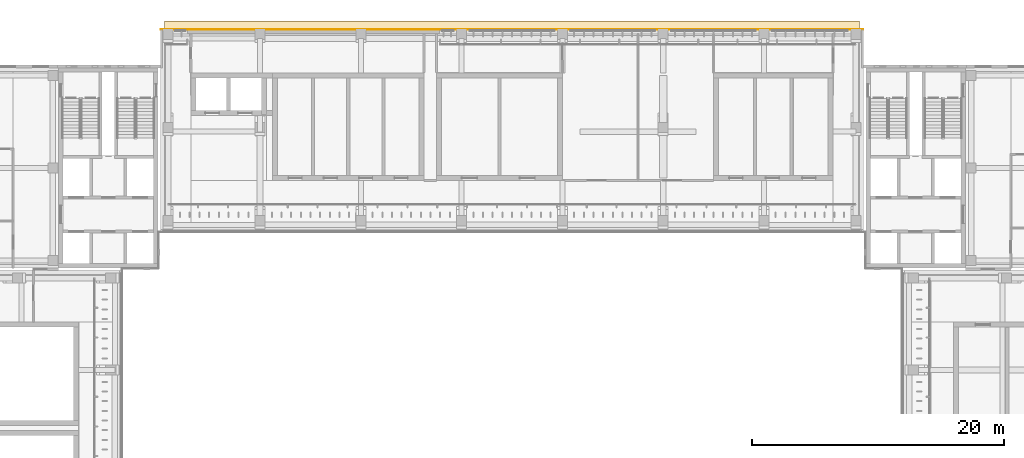
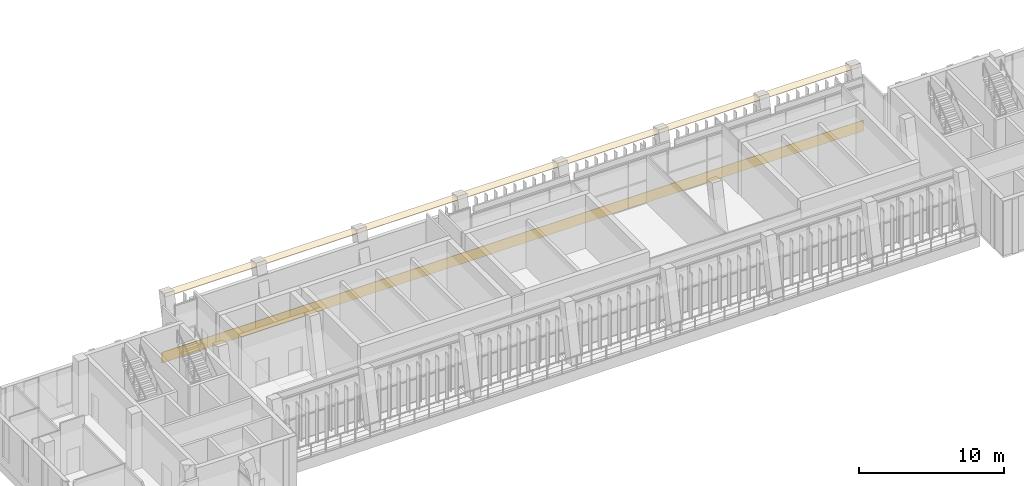
# One storey, part 83 of 89: 2 coverings.
"""IFC4 building model written with IfcOpenShell, lengths in metres."""

from ifc_helpers import new_model, si_unit, direction, frame, frame_2d, origin, place, context, subcontext, project, spatial, rectangle, extrude, material, layer, layer_set, type_object, element, save


model = new_model("IFC4")

# Units and contexts
model_context = context("Model", 3, precision=1e-05, world=origin(), true_north=direction((0.0, 1.0)))
body_context = subcontext(model_context, "Body", "Model", "MODEL_VIEW")
ifc_project = project(units=[si_unit("LENGTHUNIT", "METRE"), si_unit("AREAUNIT", "SQUARE_METRE"), si_unit("VOLUMEUNIT", "CUBIC_METRE"), si_unit("PLANEANGLEUNIT", "RADIAN"), si_unit("MASSUNIT", "GRAM", prefix="KILO")], contexts=[model_context])

# Site, building, storey
site_placement = place(None, origin())
site = spatial("IfcSite", under=ifc_project, at=site_placement, CompositionType="ELEMENT")
building_placement = place(site_placement, origin())
building = spatial("IfcBuilding", under=site, at=building_placement, Name="Lantern Court Media Centre", CompositionType="ELEMENT")
storey_placement = place(building_placement, frame((0.0, 0.0, 14.39990234375)))
storey = spatial("IfcBuildingStorey", under=building, at=storey_placement, Name="L03", CompositionType="ELEMENT", Elevation=14.39990234375)

# Coverings
ifc_material_1 = material(Name="White glass-fibre reinforced cement cladding", Category="concrete")
ifc_layer_1 = layer(ifc_material_1, 0.050048828125)
ifc_layer_set_1 = layer_set([ifc_layer_1], Name="White glass-fibre reinforced cement cladding")
covering_type_1 = type_object("IfcCoveringType", Name="Floor-edge band 50", PredefinedType="CLADDING", material=ifc_layer_set_1)
covering_1_placement = place(storey_placement, frame((24.10009765625, 115.02490234375, -0.89990234375), z_axis=(0.0, 0.0, 1.0), x_axis=(1.0, 0.0, 0.0)))
element("IfcCovering", 1, at=covering_1_placement, inside=storey, type_object=covering_type_1, Name="Floor-edge band N outer L03", PredefinedType="CLADDING", context=body_context, shape_type="SweptSolid", body=[
    extrude(rectangle(XDim=55.7998046875, YDim=0.050048828125, at=frame_2d((27.89990234375, 0.0))), origin(), (0.0, 0.0, 1.0), 0.89990234375),
])
ifc_material_2 = material(Name="White fibre cement soffit board")
ifc_layer_2 = layer(ifc_material_2, 0.0400390625)
ifc_layer_set_2 = layer_set([ifc_layer_2], Name="White fibre cement soffit board")
covering_type_2 = type_object("IfcCoveringType", Name="Soffit lining 40", PredefinedType="CLADDING", material=ifc_layer_set_2)
covering_2_placement = place(storey_placement, frame((24.39990234375, 115.35009765625, 4.5400390625), z_axis=(0.0, 0.0, 1.0), x_axis=(1.0, 0.0, 0.0)))
element("IfcCovering", 2, at=covering_2_placement, inside=storey, type_object=covering_type_2, Name="Soffit lining N L03", PredefinedType="CLADDING", context=body_context, shape_type="SweptSolid", body=[
    extrude(rectangle(XDim=55.2001953125, YDim=0.699951171875, at=frame_2d((27.60009765625, 0.0))), origin(), (0.0, 0.0, 1.0), 0.0400390625),
])

save(model, "model.ifc")
